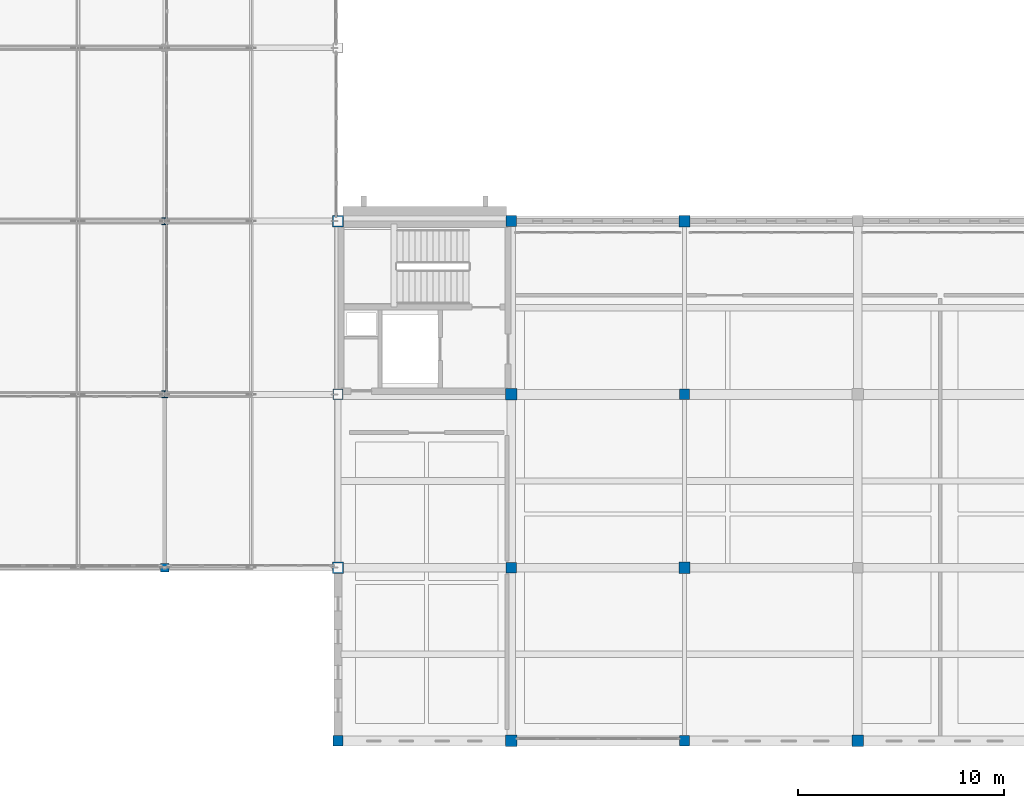
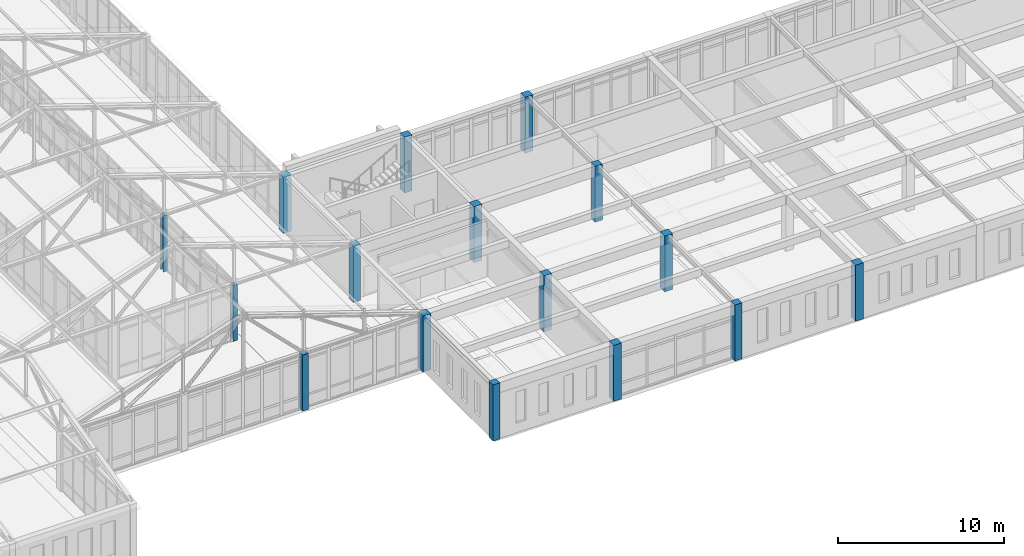
# One storey, part 5 of 192: 16 columns.
"""IFC4 building model written with IfcOpenShell, lengths in metres."""

from ifc_helpers import new_model, si_unit, direction, frame, origin, origin_2d, place, context, subcontext, project, spatial, rectangle, i_section, extrude, material, material_profile, profile_set, type_object, element, save


model = new_model("IFC4")

# Units and contexts
model_context = context("Model", 3, precision=1e-05, world=origin(), true_north=direction((0.0, 1.0)))
body_context = subcontext(model_context, "Body", "Model", "MODEL_VIEW")
ifc_project = project(units=[si_unit("LENGTHUNIT", "METRE"), si_unit("AREAUNIT", "SQUARE_METRE"), si_unit("VOLUMEUNIT", "CUBIC_METRE"), si_unit("PLANEANGLEUNIT", "RADIAN"), si_unit("MASSUNIT", "GRAM", prefix="KILO")], contexts=[model_context])

# Site, building, storey
site_placement = place(None, origin())
site = spatial("IfcSite", under=ifc_project, at=site_placement, CompositionType="ELEMENT")
building_placement = place(site_placement, origin())
building = spatial("IfcBuilding", under=site, at=building_placement, Name="Kveldsbrygga Polytechnic", CompositionType="ELEMENT")
storey_placement = place(building_placement, frame((0.0, 0.0, 5.43994140625)))
storey = spatial("IfcBuildingStorey", under=building, at=storey_placement, Name="L01", CompositionType="ELEMENT", Elevation=5.43994140625)

# Columns
ifc_material_1 = material(Name="Concrete C45/55", Category="concrete")
ifc_material_profile_1 = material_profile(ifc_material_1, rectangle(XDim=0.39990234375, YDim=0.39990234375, at=origin_2d()), Name="RC 400x400")
ifc_profile_set_1 = profile_set([ifc_material_profile_1], Name="Concrete C45/55")
column_type_1 = type_object("IfcColumnType", Name="COL-RC-400", PredefinedType="COLUMN", material=ifc_profile_set_1)
column_placement = place(storey_placement, frame((67.199951171875, 8.39990234375, 0.0), z_axis=(0.0, 0.0, 1.0), x_axis=(1.0, 0.0, 0.0)))
element("IfcColumn", 1, at=column_placement, inside=storey, type_object=column_type_1, Name="Column COL-L01-08-01", PredefinedType="COLUMN", context=body_context, shape_type="SweptSolid", body=[
    extrude(rectangle(XDim=0.39990234375, YDim=0.39990234375, at=origin_2d()), origin(), (0.0, 0.0, 1.0), 4.1201171875),
])
ifc_material_profile_2 = material_profile(ifc_material_1, rectangle(XDim=0.5, YDim=0.5, at=origin_2d()), Name="RC 500x500")
ifc_profile_set_2 = profile_set([ifc_material_profile_2], Name="Concrete C45/55")
column_type_2 = type_object("IfcColumnType", Name="COL-RC-500", PredefinedType="COLUMN", material=ifc_profile_set_2)
for number, where, z_axis, x_axis, name in (
    (2, (75.60009765625, 0.0, 0.0), (0.0, 0.0, 1.0), (1.0, 0.0, 0.0), "Column COL-L01-09-00"),
    (3, (75.60009765625, 16.800048828125, 0.0), (0.0, 0.0, 1.0), (1.0, 0.0, 0.0), "Column COL-L01-09-02"),
    (4, (92.39990234375, 0.0, 0.0), (0.0, 0.0, 1.0), (1.0, 0.0, 0.0), "Column COL-L01-11-00"),
    (5, (92.39990234375, 16.800048828125, 0.0), (0.0, 0.0, 1.0), (1.0, 0.0, 0.0), "Column COL-L01-11-02"),
):
    element("IfcColumn", number, at=place(storey_placement, frame(where, z_axis=z_axis, x_axis=x_axis)), inside=storey, type_object=column_type_2, Name=name, PredefinedType="COLUMN", context=body_context, shape_type="SweptSolid", body=[
        extrude(rectangle(XDim=0.5, YDim=0.5, at=origin_2d()), origin(), (0.0, 0.0, 1.0), 4.1201171875),
    ])
ifc_material_profile_3 = material_profile(ifc_material_1, rectangle(XDim=0.52001953125, YDim=0.52001953125, at=origin_2d()), Name="RC 520x520")
ifc_profile_set_3 = profile_set([ifc_material_profile_3], Name="Concrete C45/55")
column_type_3 = type_object("IfcColumnType", Name="COL-RC-520", PredefinedType="COLUMN", material=ifc_profile_set_3)
for number, where, z_axis, x_axis, name in (
    (6, (84.0, 8.39990234375, 0.0), (0.0, 0.0, 1.0), (1.0, 0.0, 0.0), "Column COL-L01-10-01"),
    (7, (84.0, 25.199951171875, 0.0), (0.0, 0.0, 1.0), (1.0, 0.0, 0.0), "Column COL-L01-10-03"),
):
    element("IfcColumn", number, at=place(storey_placement, frame(where, z_axis=z_axis, x_axis=x_axis)), inside=storey, type_object=column_type_3, Name=name, PredefinedType="COLUMN", context=body_context, shape_type="SweptSolid", body=[
        extrude(rectangle(XDim=0.52001953125, YDim=0.52001953125, at=origin_2d()), origin(), (0.0, 0.0, 1.0), 4.1201171875),
    ])
ifc_material_profile_4 = material_profile(ifc_material_1, rectangle(XDim=0.550048828125, YDim=0.550048828125, at=origin_2d()), Name="RC 550x550")
ifc_profile_set_4 = profile_set([ifc_material_profile_4], Name="Concrete C45/55")
column_type_4 = type_object("IfcColumnType", Name="COL-RC-550", PredefinedType="COLUMN", material=ifc_profile_set_4)
for number, where, z_axis, x_axis, name in (
    (8, (75.60009765625, 8.39990234375, 0.0), (0.0, 0.0, 1.0), (1.0, 0.0, 0.0), "Column COL-L01-09-01"),
    (9, (75.60009765625, 25.199951171875, 0.0), (0.0, 0.0, 1.0), (1.0, 0.0, 0.0), "Column COL-L01-09-03"),
    (10, (84.0, 0.0, 0.0), (0.0, 0.0, 1.0), (1.0, 0.0, 0.0), "Column COL-L01-10-00"),
    (11, (84.0, 16.800048828125, 0.0), (0.0, 0.0, 1.0), (1.0, 0.0, 0.0), "Column COL-L01-10-02"),
    (12, (92.39990234375, 8.39990234375, 0.0), (0.0, 0.0, 1.0), (1.0, 0.0, 0.0), "Column COL-L01-11-01"),
    (13, (92.39990234375, 25.199951171875, 0.0), (0.0, 0.0, 1.0), (1.0, 0.0, 0.0), "Column COL-L01-11-03"),
    (14, (100.800048828125, 0.0, 0.0), (0.0, 0.0, 1.0), (1.0, 0.0, 0.0), "Column COL-L01-12-00"),
):
    element("IfcColumn", number, at=place(storey_placement, frame(where, z_axis=z_axis, x_axis=x_axis)), inside=storey, type_object=column_type_4, Name=name, PredefinedType="COLUMN", context=body_context, shape_type="SweptSolid", body=[
        extrude(rectangle(XDim=0.550048828125, YDim=0.550048828125, at=origin_2d()), origin(), (0.0, 0.0, 1.0), 4.1201171875),
    ])
ifc_material_2 = material(Name="Steel S355", Category="steel")
ifc_material_profile_5 = material_profile(ifc_material_2, i_section(OverallWidth=0.300048828125, OverallDepth=0.340087890625, WebThickness=0.011962890625, FlangeThickness=0.021484375, FilletRadius=0.027099609375, at=origin_2d()), Name="HEB 340")
ifc_profile_set_5 = profile_set([ifc_material_profile_5], Name="Steel S355")
column_type_5 = type_object("IfcColumnType", Name="COL-STL-HEB340", PredefinedType="COLUMN", material=ifc_profile_set_5)
for number, where, z_axis, x_axis, name in (
    (15, (67.199951171875, 16.800048828125, 0.0), (0.0, 0.0, 1.0), (1.0, 0.0, 0.0), "Column COL-L01-08-02"),
    (16, (67.199951171875, 25.199951171875, 0.0), (0.0, 0.0, 1.0), (1.0, 0.0, 0.0), "Column COL-L01-08-03"),
):
    element("IfcColumn", number, at=place(storey_placement, frame(where, z_axis=z_axis, x_axis=x_axis)), inside=storey, type_object=column_type_5, Name=name, PredefinedType="COLUMN", context=body_context, shape_type="SweptSolid", body=[
        extrude(i_section(OverallWidth=0.300048828125, OverallDepth=0.340087890625, WebThickness=0.011962890625, FlangeThickness=0.021484375, FilletRadius=0.027099609375, at=origin_2d()), origin(), (0.0, 0.0, 1.0), 4.1201171875),
    ])

save(model, "model.ifc")
